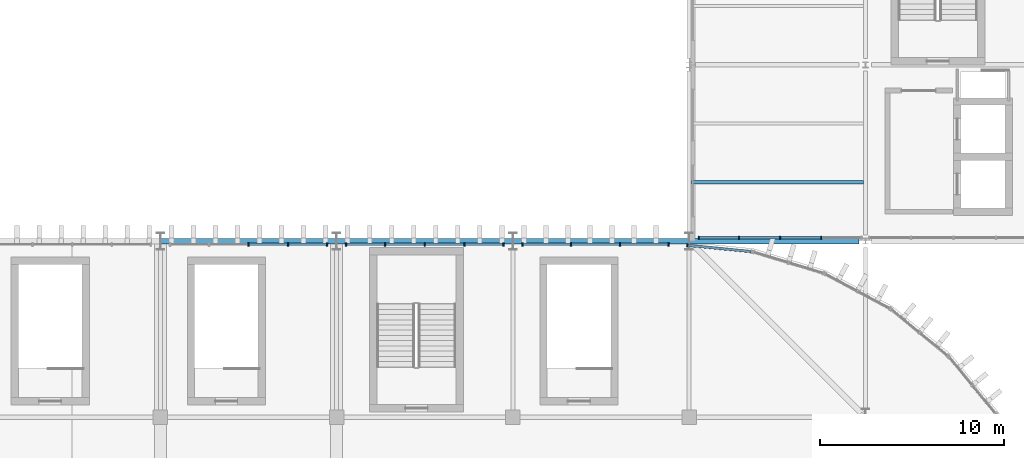
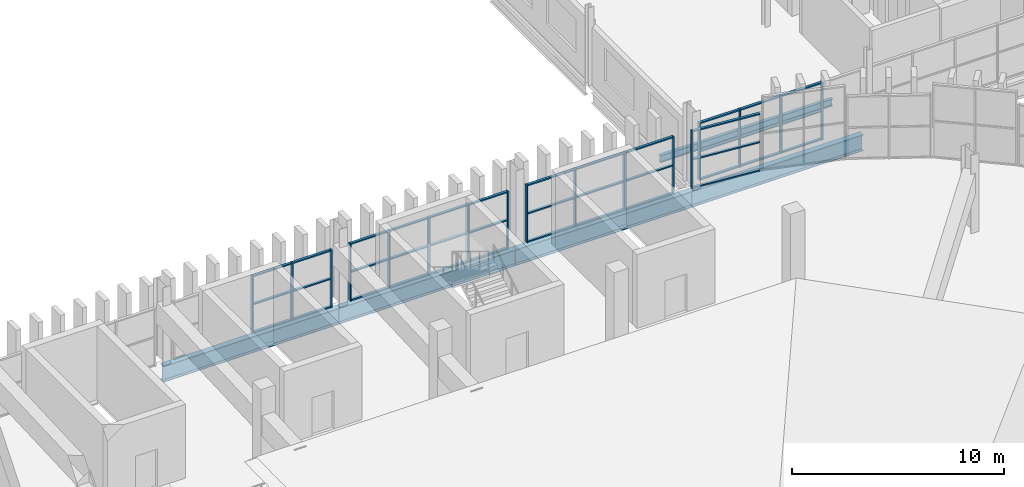
# One storey, part 32 of 69: 56 members, 5 beams, 5 elements without a shape of their own.
"""IFC4 building model written with IfcOpenShell, lengths in metres."""

from ifc_helpers import new_model, si_unit, direction, frame, origin, origin_2d, place, context, subcontext, project, spatial, rectangle, i_section, extrude, material, layer, layer_set, material_profile, profile_set, type_object, element, aggregate, save


model = new_model("IFC4")

# Units and contexts
model_context = context("Model", 3, precision=1e-05, world=origin(), true_north=direction((0.0, 1.0)))
body_context = subcontext(model_context, "Body", "Model", "MODEL_VIEW")
ifc_project = project(units=[si_unit("LENGTHUNIT", "METRE"), si_unit("AREAUNIT", "SQUARE_METRE"), si_unit("VOLUMEUNIT", "CUBIC_METRE"), si_unit("PLANEANGLEUNIT", "RADIAN"), si_unit("MASSUNIT", "GRAM", prefix="KILO")], contexts=[model_context])

# Site, building, storey
site_placement = place(None, origin())
site = spatial("IfcSite", under=ifc_project, at=site_placement, CompositionType="ELEMENT")
building_placement = place(site_placement, origin())
building = spatial("IfcBuilding", under=site, at=building_placement, Name="Caelomonte Colonnade Arena", CompositionType="ELEMENT")
storey_placement = place(building_placement, frame((0.0, 0.0, 18.60009765625)))
storey = spatial("IfcBuildingStorey", under=building, at=storey_placement, Name="L04", CompositionType="ELEMENT", Elevation=18.60009765625)

# Curtain wall, members
ifc_material_1 = material(Name="Bronze anodised aluminium and low-E glazing", Category="aluminium")
ifc_layer_1 = layer(ifc_material_1, 0.179931640625)
ifc_layer_set_1 = layer_set([ifc_layer_1], Name="Bronze anodised aluminium and low-E glazing")
curtain_wall_type_1 = type_object("IfcCurtainWallType", Name="ENV-CW-CW-L04-96-33", PredefinedType="USERDEFINED", material=ifc_layer_set_1)
curtain_wall_1_placement = place(storey_placement, origin())
curtain_wall_1 = element("IfcCurtainWall", 1, at=curtain_wall_1_placement, inside=storey, type_object=curtain_wall_type_1, Name="L04 unitized curtain wall CW-L04-1488-1154", ObjectType="UNITIZED CURTAIN WALL", PredefinedType="USERDEFINED")
ifc_material_2 = material(Name="Bronze anodised aluminium AA6063-T6", Category="aluminium")
ifc_material_profile_1 = material_profile(ifc_material_2, rectangle(XDim=0.070068359375, YDim=0.179931640625, at=origin_2d()), Name="CWM-70X180")
ifc_profile_set_1 = profile_set([ifc_material_profile_1], Name="Bronze anodised aluminium AA6063-T6")
member_type_1 = type_object("IfcMemberType", Name="ENV-CW-MULL1", PredefinedType="MULLION", material=ifc_profile_set_1)
member_1_placement = place(storey_placement, frame((144.5185546875, 115.3798828125, 0.0), z_axis=(0.0, 0.0, 1.0), x_axis=(1.0, 0.0, 0.0)))
member_1 = element("IfcMember", 2, at=member_1_placement, type_object=member_type_1, Name="CW-L04-96-33 mullion 1", PredefinedType="MULLION", context=body_context, shape_type="SweptSolid", body=[
    extrude(rectangle(XDim=0.070068359375, YDim=0.179931640625, at=origin_2d()), origin(), (0.0, 0.0, 1.0), 3.312744140625),
])
member_2_placement = place(storey_placement, frame((146.71923828125, 115.3798828125, 0.0), z_axis=(0.0, 0.0, 1.0), x_axis=(1.0, 0.0, 0.0)))
member_2 = element("IfcMember", 3, at=member_2_placement, type_object=member_type_1, Name="CW-L04-96-33 mullion 2", PredefinedType="MULLION", context=body_context, shape_type="SweptSolid", body=[
    extrude(rectangle(XDim=0.070068359375, YDim=0.179931640625, at=origin_2d()), origin(), (0.0, 0.0, 1.0), 3.312744140625),
])
member_3_placement = place(storey_placement, frame((148.954833984375, 115.3798828125, 0.0), z_axis=(0.0, 0.0, 1.0), x_axis=(1.0, 0.0, 0.0)))
member_3 = element("IfcMember", 4, at=member_3_placement, type_object=member_type_1, Name="CW-L04-96-33 mullion 3", PredefinedType="MULLION", context=body_context, shape_type="SweptSolid", body=[
    extrude(rectangle(XDim=0.070068359375, YDim=0.179931640625, at=origin_2d()), origin(), (0.0, 0.0, 1.0), 3.312744140625),
])
member_4_placement = place(storey_placement, frame((151.1904296875, 115.3798828125, 0.0), z_axis=(0.0, 0.0, 1.0), x_axis=(1.0, 0.0, 0.0)))
member_4 = element("IfcMember", 5, at=member_4_placement, type_object=member_type_1, Name="CW-L04-96-33 mullion 4", PredefinedType="MULLION", context=body_context, shape_type="SweptSolid", body=[
    extrude(rectangle(XDim=0.070068359375, YDim=0.179931640625, at=origin_2d()), origin(), (0.0, 0.0, 1.0), 3.312744140625),
])

# Curtain wall, member
ifc_layer_2 = layer(ifc_material_1, 0.179931640625)
ifc_layer_set_2 = layer_set([ifc_layer_2], Name="Bronze anodised aluminium and low-E glazing")
curtain_wall_type_2 = type_object("IfcCurtainWallType", Name="ENV-CW-CW-L04-42-33", PredefinedType="USERDEFINED", material=ifc_layer_set_2)
curtain_wall_2_placement = place(storey_placement, origin())
curtain_wall_2 = element("IfcCurtainWall", 6, at=curtain_wall_2_placement, inside=storey, type_object=curtain_wall_type_2, Name="L04 unitized curtain wall CW-L04-1455-1148", ObjectType="UNITIZED CURTAIN WALL", PredefinedType="USERDEFINED")
member_5_placement = place(storey_placement, frame((143.8984375, 114.969970703125, 0.0), z_axis=(0.0, 0.0, 1.0), x_axis=(-0.995184334909, 0.098021117887, 0.0)))
member_5 = element("IfcMember", 7, at=member_5_placement, type_object=member_type_1, Name="CW-L04-42-33 mullion 2", PredefinedType="MULLION", context=body_context, shape_type="SweptSolid", body=[
    extrude(rectangle(XDim=0.070068359375, YDim=0.179931640625, at=origin_2d()), origin(), (0.0, 0.0, 1.0), 3.312744140625),
])

# Curtain wall, members
ifc_layer_3 = layer(ifc_material_1, 0.179931640625)
ifc_layer_set_3 = layer_set([ifc_layer_3], Name="Bronze anodised aluminium and low-E glazing")
curtain_wall_type_3 = type_object("IfcCurtainWallType", Name="ENV-CW-CW-L04-90-33", PredefinedType="USERDEFINED", material=ifc_layer_set_3)
curtain_wall_3_placement = place(storey_placement, origin())
curtain_wall_3 = element("IfcCurtainWall", 8, at=curtain_wall_3_placement, inside=storey, type_object=curtain_wall_type_3, Name="L04 unitized curtain wall CW-L04-1389-1150", ObjectType="UNITIZED CURTAIN WALL", PredefinedType="USERDEFINED")
member_6_placement = place(storey_placement, frame((142.88134765625, 115.02001953125, 0.0), z_axis=(0.0, 0.0, 1.0), x_axis=(-1.0, 0.0, 0.0)))
member_6 = element("IfcMember", 9, at=member_6_placement, type_object=member_type_1, Name="CW-L04-90-33 mullion 1", PredefinedType="MULLION", context=body_context, shape_type="SweptSolid", body=[
    extrude(rectangle(XDim=0.070068359375, YDim=0.179931640625, at=origin_2d()), origin(), (0.0, 0.0, 1.0), 3.312744140625),
])
member_7_placement = place(storey_placement, frame((140.23876953125, 115.02001953125, 0.0), z_axis=(0.0, 0.0, 1.0), x_axis=(-1.0, 0.0, 0.0)))
member_7 = element("IfcMember", 10, at=member_7_placement, type_object=member_type_1, Name="CW-L04-90-33 mullion 2", PredefinedType="MULLION", context=body_context, shape_type="SweptSolid", body=[
    extrude(rectangle(XDim=0.070068359375, YDim=0.179931640625, at=origin_2d()), origin(), (0.0, 0.0, 1.0), 3.312744140625),
])
member_8_placement = place(storey_placement, frame((137.561279296875, 115.02001953125, 0.0), z_axis=(0.0, 0.0, 1.0), x_axis=(-1.0, 0.0, 0.0)))
member_8 = element("IfcMember", 11, at=member_8_placement, type_object=member_type_1, Name="CW-L04-90-33 mullion 3", PredefinedType="MULLION", context=body_context, shape_type="SweptSolid", body=[
    extrude(rectangle(XDim=0.070068359375, YDim=0.179931640625, at=origin_2d()), origin(), (0.0, 0.0, 1.0), 3.312744140625),
])
member_9_placement = place(storey_placement, frame((134.918701171875, 115.02001953125, 0.0), z_axis=(0.0, 0.0, 1.0), x_axis=(-1.0, 0.0, 0.0)))
member_9 = element("IfcMember", 12, at=member_9_placement, type_object=member_type_1, Name="CW-L04-90-33 mullion 4", PredefinedType="MULLION", context=body_context, shape_type="SweptSolid", body=[
    extrude(rectangle(XDim=0.070068359375, YDim=0.179931640625, at=origin_2d()), origin(), (0.0, 0.0, 1.0), 3.312744140625),
])

curtain_wall_4_placement = place(storey_placement, origin())
curtain_wall_4 = element("IfcCurtainWall", 13, at=curtain_wall_4_placement, inside=storey, type_object=curtain_wall_type_1, Name="L04 unitized curtain wall CW-L04-1296-1150", ObjectType="UNITIZED CURTAIN WALL", PredefinedType="USERDEFINED")
member_10_placement = place(storey_placement, frame((133.88134765625, 115.02001953125, 0.0), z_axis=(0.0, 0.0, 1.0), x_axis=(-1.0, 0.0, 0.0)))
member_10 = element("IfcMember", 14, at=member_10_placement, type_object=member_type_1, Name="CW-L04-96-33 mullion 1", PredefinedType="MULLION", context=body_context, shape_type="SweptSolid", body=[
    extrude(rectangle(XDim=0.070068359375, YDim=0.179931640625, at=origin_2d()), origin(), (0.0, 0.0, 1.0), 3.312744140625),
])
member_11_placement = place(storey_placement, frame((131.758056640625, 115.02001953125, 0.0), z_axis=(0.0, 0.0, 1.0), x_axis=(-1.0, 0.0, 0.0)))
member_11 = element("IfcMember", 15, at=member_11_placement, type_object=member_type_1, Name="CW-L04-96-33 mullion 2", PredefinedType="MULLION", context=body_context, shape_type="SweptSolid", body=[
    extrude(rectangle(XDim=0.070068359375, YDim=0.179931640625, at=origin_2d()), origin(), (0.0, 0.0, 1.0), 3.312744140625),
])
member_12_placement = place(storey_placement, frame((129.599853515625, 115.02001953125, 0.0), z_axis=(0.0, 0.0, 1.0), x_axis=(-1.0, 0.0, 0.0)))
member_12 = element("IfcMember", 16, at=member_12_placement, type_object=member_type_1, Name="CW-L04-96-33 mullion 3", PredefinedType="MULLION", context=body_context, shape_type="SweptSolid", body=[
    extrude(rectangle(XDim=0.070068359375, YDim=0.179931640625, at=origin_2d()), origin(), (0.0, 0.0, 1.0), 3.312744140625),
])
member_13_placement = place(storey_placement, frame((127.441650390625, 115.02001953125, 0.0), z_axis=(0.0, 0.0, 1.0), x_axis=(-1.0, 0.0, 0.0)))
member_13 = element("IfcMember", 17, at=member_13_placement, type_object=member_type_1, Name="CW-L04-96-33 mullion 4", PredefinedType="MULLION", context=body_context, shape_type="SweptSolid", body=[
    extrude(rectangle(XDim=0.070068359375, YDim=0.179931640625, at=origin_2d()), origin(), (0.0, 0.0, 1.0), 3.312744140625),
])
member_14_placement = place(storey_placement, frame((125.318603515625, 115.02001953125, 0.0), z_axis=(0.0, 0.0, 1.0), x_axis=(-1.0, 0.0, 0.0)))
member_14 = element("IfcMember", 18, at=member_14_placement, type_object=member_type_1, Name="CW-L04-96-33 mullion 5", PredefinedType="MULLION", context=body_context, shape_type="SweptSolid", body=[
    extrude(rectangle(XDim=0.070068359375, YDim=0.179931640625, at=origin_2d()), origin(), (0.0, 0.0, 1.0), 3.312744140625),
])

curtain_wall_5_placement = place(storey_placement, origin())
curtain_wall_5 = element("IfcCurtainWall", 19, at=curtain_wall_5_placement, inside=storey, type_object=curtain_wall_type_1, Name="L04 unitized curtain wall CW-L04-1200-1150", ObjectType="UNITIZED CURTAIN WALL", PredefinedType="USERDEFINED")
member_15_placement = place(storey_placement, frame((124.281494140625, 115.02001953125, 0.0), z_axis=(0.0, 0.0, 1.0), x_axis=(-1.0, 0.0, 0.0)))
member_15 = element("IfcMember", 20, at=member_15_placement, type_object=member_type_1, Name="CW-L04-96-33 mullion 1", PredefinedType="MULLION", context=body_context, shape_type="SweptSolid", body=[
    extrude(rectangle(XDim=0.070068359375, YDim=0.179931640625, at=origin_2d()), origin(), (0.0, 0.0, 1.0), 3.312744140625),
])
member_16_placement = place(storey_placement, frame((122.158203125, 115.02001953125, 0.0), z_axis=(0.0, 0.0, 1.0), x_axis=(-1.0, 0.0, 0.0)))
member_16 = element("IfcMember", 21, at=member_16_placement, type_object=member_type_1, Name="CW-L04-96-33 mullion 2", PredefinedType="MULLION", context=body_context, shape_type="SweptSolid", body=[
    extrude(rectangle(XDim=0.070068359375, YDim=0.179931640625, at=origin_2d()), origin(), (0.0, 0.0, 1.0), 3.312744140625),
])
member_17_placement = place(storey_placement, frame((120.0, 115.02001953125, 0.0), z_axis=(0.0, 0.0, 1.0), x_axis=(-1.0, 0.0, 0.0)))
member_17 = element("IfcMember", 22, at=member_17_placement, type_object=member_type_1, Name="CW-L04-96-33 mullion 3", PredefinedType="MULLION", context=body_context, shape_type="SweptSolid", body=[
    extrude(rectangle(XDim=0.070068359375, YDim=0.179931640625, at=origin_2d()), origin(), (0.0, 0.0, 1.0), 3.312744140625),
])

# Member
ifc_material_profile_2 = material_profile(ifc_material_2, rectangle(XDim=0.070068359375, YDim=0.139892578125, at=origin_2d()), Name="CWT-70X140")
ifc_profile_set_2 = profile_set([ifc_material_profile_2], Name="Bronze anodised aluminium AA6063-T6")
member_type_2 = type_object("IfcMemberType", Name="ENV-CW-TRAN1", PredefinedType="USERDEFINED", material=ifc_profile_set_2)
member_18_placement = place(storey_placement, frame((144.5537109375, 115.3798828125, 0.034912109375), z_axis=(1.0, 0.0, 0.0), x_axis=(0.0, 0.0, 1.0)))
member_18 = element("IfcMember", 23, at=member_18_placement, type_object=member_type_2, Name="CW-L04-96-33 transom 1.1", ObjectType="TRANSOM", PredefinedType="USERDEFINED", context=body_context, shape_type="SweptSolid", body=[
    extrude(rectangle(XDim=0.070068359375, YDim=0.139892578125, at=origin_2d()), origin(), (0.0, 0.0, 1.0), 2.130615234375),
])

member_19_placement = place(storey_placement, frame((144.5537109375, 115.3798828125, 1.65625), z_axis=(1.0, 0.0, 0.0), x_axis=(0.0, 0.0, 1.0)))
member_19 = element("IfcMember", 24, at=member_19_placement, type_object=member_type_2, Name="CW-L04-96-33 transom 1.2", ObjectType="TRANSOM", PredefinedType="USERDEFINED", context=body_context, shape_type="SweptSolid", body=[
    extrude(rectangle(XDim=0.070068359375, YDim=0.139892578125, at=origin_2d()), origin(), (0.0, 0.0, 1.0), 2.130615234375),
])

member_20_placement = place(storey_placement, frame((144.5537109375, 115.3798828125, 3.277587890625), z_axis=(1.0, 0.0, 0.0), x_axis=(0.0, 0.0, 1.0)))
member_20 = element("IfcMember", 25, at=member_20_placement, type_object=member_type_2, Name="CW-L04-96-33 transom 1.3", ObjectType="TRANSOM", PredefinedType="USERDEFINED", context=body_context, shape_type="SweptSolid", body=[
    extrude(rectangle(XDim=0.070068359375, YDim=0.139892578125, at=origin_2d()), origin(), (0.0, 0.0, 1.0), 2.130615234375),
])

member_21_placement = place(storey_placement, frame((146.754150390625, 115.3798828125, 0.034912109375), z_axis=(1.0, 0.0, 0.0), x_axis=(0.0, 0.0, 1.0)))
member_21 = element("IfcMember", 26, at=member_21_placement, type_object=member_type_2, Name="CW-L04-96-33 transom 2.1", ObjectType="TRANSOM", PredefinedType="USERDEFINED", context=body_context, shape_type="SweptSolid", body=[
    extrude(rectangle(XDim=0.070068359375, YDim=0.139892578125, at=origin_2d()), origin(), (0.0, 0.0, 1.0), 2.165771484375),
])

member_22_placement = place(storey_placement, frame((146.754150390625, 115.3798828125, 1.65625), z_axis=(1.0, 0.0, 0.0), x_axis=(0.0, 0.0, 1.0)))
member_22 = element("IfcMember", 27, at=member_22_placement, type_object=member_type_2, Name="CW-L04-96-33 transom 2.2", ObjectType="TRANSOM", PredefinedType="USERDEFINED", context=body_context, shape_type="SweptSolid", body=[
    extrude(rectangle(XDim=0.070068359375, YDim=0.139892578125, at=origin_2d()), origin(), (0.0, 0.0, 1.0), 2.165771484375),
])

member_23_placement = place(storey_placement, frame((146.754150390625, 115.3798828125, 3.277587890625), z_axis=(1.0, 0.0, 0.0), x_axis=(0.0, 0.0, 1.0)))
member_23 = element("IfcMember", 28, at=member_23_placement, type_object=member_type_2, Name="CW-L04-96-33 transom 2.3", ObjectType="TRANSOM", PredefinedType="USERDEFINED", context=body_context, shape_type="SweptSolid", body=[
    extrude(rectangle(XDim=0.070068359375, YDim=0.139892578125, at=origin_2d()), origin(), (0.0, 0.0, 1.0), 2.165771484375),
])

member_24_placement = place(storey_placement, frame((148.98974609375, 115.3798828125, 0.034912109375), z_axis=(1.0, 0.0, 0.0), x_axis=(0.0, 0.0, 1.0)))
member_24 = element("IfcMember", 29, at=member_24_placement, type_object=member_type_2, Name="CW-L04-96-33 transom 3.1", ObjectType="TRANSOM", PredefinedType="USERDEFINED", context=body_context, shape_type="SweptSolid", body=[
    extrude(rectangle(XDim=0.070068359375, YDim=0.139892578125, at=origin_2d()), origin(), (0.0, 0.0, 1.0), 2.165771484375),
])

member_25_placement = place(storey_placement, frame((148.98974609375, 115.3798828125, 1.65625), z_axis=(1.0, 0.0, 0.0), x_axis=(0.0, 0.0, 1.0)))
member_25 = element("IfcMember", 30, at=member_25_placement, type_object=member_type_2, Name="CW-L04-96-33 transom 3.2", ObjectType="TRANSOM", PredefinedType="USERDEFINED", context=body_context, shape_type="SweptSolid", body=[
    extrude(rectangle(XDim=0.070068359375, YDim=0.139892578125, at=origin_2d()), origin(), (0.0, 0.0, 1.0), 2.165771484375),
])

member_26_placement = place(storey_placement, frame((148.98974609375, 115.3798828125, 3.277587890625), z_axis=(1.0, 0.0, 0.0), x_axis=(0.0, 0.0, 1.0)))
member_26 = element("IfcMember", 31, at=member_26_placement, type_object=member_type_2, Name="CW-L04-96-33 transom 3.3", ObjectType="TRANSOM", PredefinedType="USERDEFINED", context=body_context, shape_type="SweptSolid", body=[
    extrude(rectangle(XDim=0.070068359375, YDim=0.139892578125, at=origin_2d()), origin(), (0.0, 0.0, 1.0), 2.165771484375),
])

aggregate(curtain_wall_1, [member_1, member_2, member_3, member_4, member_18, member_19, member_20, member_21, member_22, member_23, member_24, member_25, member_26])

member_27_placement = place(storey_placement, frame((147.36962890625, 114.628173828125, 0.034912109375), z_axis=(-0.99518656457, 0.097998478046, 0.0), x_axis=(0.0, 0.0, 1.0)))
member_27 = element("IfcMember", 32, at=member_27_placement, type_object=member_type_2, Name="CW-L04-42-33 transom 1.1", ObjectType="TRANSOM", PredefinedType="USERDEFINED", context=body_context, shape_type="SweptSolid", body=[
    extrude(rectangle(XDim=0.070068359375, YDim=0.139892578125, at=origin_2d()), origin(), (0.0, 0.0, 1.0), 3.452880859375),
])

member_28_placement = place(storey_placement, frame((147.36962890625, 114.628173828125, 1.65625), z_axis=(-0.99518656457, 0.097998478046, 0.0), x_axis=(0.0, 0.0, 1.0)))
member_28 = element("IfcMember", 33, at=member_28_placement, type_object=member_type_2, Name="CW-L04-42-33 transom 1.2", ObjectType="TRANSOM", PredefinedType="USERDEFINED", context=body_context, shape_type="SweptSolid", body=[
    extrude(rectangle(XDim=0.070068359375, YDim=0.139892578125, at=origin_2d()), origin(), (0.0, 0.0, 1.0), 3.452880859375),
])

member_29_placement = place(storey_placement, frame((147.36962890625, 114.628173828125, 3.277587890625), z_axis=(-0.99518656457, 0.097998478046, 0.0), x_axis=(0.0, 0.0, 1.0)))
member_29 = element("IfcMember", 34, at=member_29_placement, type_object=member_type_2, Name="CW-L04-42-33 transom 1.3", ObjectType="TRANSOM", PredefinedType="USERDEFINED", context=body_context, shape_type="SweptSolid", body=[
    extrude(rectangle(XDim=0.070068359375, YDim=0.139892578125, at=origin_2d()), origin(), (0.0, 0.0, 1.0), 3.452880859375),
])

aggregate(curtain_wall_2, [member_5, member_27, member_28, member_29])

member_30_placement = place(storey_placement, frame((142.846435546875, 115.02001953125, 0.034912109375), z_axis=(-1.0, 0.0, 0.0), x_axis=(0.0, 0.0, 1.0)))
member_30 = element("IfcMember", 35, at=member_30_placement, type_object=member_type_2, Name="CW-L04-90-33 transom 1.1", ObjectType="TRANSOM", PredefinedType="USERDEFINED", context=body_context, shape_type="SweptSolid", body=[
    extrude(rectangle(XDim=0.070068359375, YDim=0.139892578125, at=origin_2d()), origin(), (0.0, 0.0, 1.0), 2.57275390625),
])

member_31_placement = place(storey_placement, frame((142.846435546875, 115.02001953125, 1.65625), z_axis=(-1.0, 0.0, 0.0), x_axis=(0.0, 0.0, 1.0)))
member_31 = element("IfcMember", 36, at=member_31_placement, type_object=member_type_2, Name="CW-L04-90-33 transom 1.2", ObjectType="TRANSOM", PredefinedType="USERDEFINED", context=body_context, shape_type="SweptSolid", body=[
    extrude(rectangle(XDim=0.070068359375, YDim=0.139892578125, at=origin_2d()), origin(), (0.0, 0.0, 1.0), 2.57275390625),
])

member_32_placement = place(storey_placement, frame((142.846435546875, 115.02001953125, 3.277587890625), z_axis=(-1.0, 0.0, 0.0), x_axis=(0.0, 0.0, 1.0)))
member_32 = element("IfcMember", 37, at=member_32_placement, type_object=member_type_2, Name="CW-L04-90-33 transom 1.3", ObjectType="TRANSOM", PredefinedType="USERDEFINED", context=body_context, shape_type="SweptSolid", body=[
    extrude(rectangle(XDim=0.070068359375, YDim=0.139892578125, at=origin_2d()), origin(), (0.0, 0.0, 1.0), 2.57275390625),
])

member_33_placement = place(storey_placement, frame((140.203857421875, 115.02001953125, 0.034912109375), z_axis=(-1.0, 0.0, 0.0), x_axis=(0.0, 0.0, 1.0)))
member_33 = element("IfcMember", 38, at=member_33_placement, type_object=member_type_2, Name="CW-L04-90-33 transom 2.1", ObjectType="TRANSOM", PredefinedType="USERDEFINED", context=body_context, shape_type="SweptSolid", body=[
    extrude(rectangle(XDim=0.070068359375, YDim=0.139892578125, at=origin_2d()), origin(), (0.0, 0.0, 1.0), 2.607666015625),
])

member_34_placement = place(storey_placement, frame((140.203857421875, 115.02001953125, 1.65625), z_axis=(-1.0, 0.0, 0.0), x_axis=(0.0, 0.0, 1.0)))
member_34 = element("IfcMember", 39, at=member_34_placement, type_object=member_type_2, Name="CW-L04-90-33 transom 2.2", ObjectType="TRANSOM", PredefinedType="USERDEFINED", context=body_context, shape_type="SweptSolid", body=[
    extrude(rectangle(XDim=0.070068359375, YDim=0.139892578125, at=origin_2d()), origin(), (0.0, 0.0, 1.0), 2.607666015625),
])

member_35_placement = place(storey_placement, frame((140.203857421875, 115.02001953125, 3.277587890625), z_axis=(-1.0, 0.0, 0.0), x_axis=(0.0, 0.0, 1.0)))
member_35 = element("IfcMember", 40, at=member_35_placement, type_object=member_type_2, Name="CW-L04-90-33 transom 2.3", ObjectType="TRANSOM", PredefinedType="USERDEFINED", context=body_context, shape_type="SweptSolid", body=[
    extrude(rectangle(XDim=0.070068359375, YDim=0.139892578125, at=origin_2d()), origin(), (0.0, 0.0, 1.0), 2.607666015625),
])

member_36_placement = place(storey_placement, frame((137.526123046875, 115.02001953125, 0.034912109375), z_axis=(-1.0, 0.0, 0.0), x_axis=(0.0, 0.0, 1.0)))
member_36 = element("IfcMember", 41, at=member_36_placement, type_object=member_type_2, Name="CW-L04-90-33 transom 3.1", ObjectType="TRANSOM", PredefinedType="USERDEFINED", context=body_context, shape_type="SweptSolid", body=[
    extrude(rectangle(XDim=0.070068359375, YDim=0.139892578125, at=origin_2d()), origin(), (0.0, 0.0, 1.0), 2.572509765625),
])

member_37_placement = place(storey_placement, frame((137.526123046875, 115.02001953125, 1.65625), z_axis=(-1.0, 0.0, 0.0), x_axis=(0.0, 0.0, 1.0)))
member_37 = element("IfcMember", 42, at=member_37_placement, type_object=member_type_2, Name="CW-L04-90-33 transom 3.2", ObjectType="TRANSOM", PredefinedType="USERDEFINED", context=body_context, shape_type="SweptSolid", body=[
    extrude(rectangle(XDim=0.070068359375, YDim=0.139892578125, at=origin_2d()), origin(), (0.0, 0.0, 1.0), 2.572509765625),
])

member_38_placement = place(storey_placement, frame((137.526123046875, 115.02001953125, 3.277587890625), z_axis=(-1.0, 0.0, 0.0), x_axis=(0.0, 0.0, 1.0)))
member_38 = element("IfcMember", 43, at=member_38_placement, type_object=member_type_2, Name="CW-L04-90-33 transom 3.3", ObjectType="TRANSOM", PredefinedType="USERDEFINED", context=body_context, shape_type="SweptSolid", body=[
    extrude(rectangle(XDim=0.070068359375, YDim=0.139892578125, at=origin_2d()), origin(), (0.0, 0.0, 1.0), 2.572509765625),
])

aggregate(curtain_wall_3, [member_6, member_7, member_8, member_9, member_30, member_31, member_32, member_33, member_34, member_35, member_36, member_37, member_38])

member_39_placement = place(storey_placement, frame((133.846435546875, 115.02001953125, 0.034912109375), z_axis=(-1.0, 0.0, 0.0), x_axis=(0.0, 0.0, 1.0)))
member_39 = element("IfcMember", 44, at=member_39_placement, type_object=member_type_2, Name="CW-L04-96-33 transom 1.1", ObjectType="TRANSOM", PredefinedType="USERDEFINED", context=body_context, shape_type="SweptSolid", body=[
    extrude(rectangle(XDim=0.070068359375, YDim=0.139892578125, at=origin_2d()), origin(), (0.0, 0.0, 1.0), 2.05322265625),
])

member_40_placement = place(storey_placement, frame((133.846435546875, 115.02001953125, 1.65625), z_axis=(-1.0, 0.0, 0.0), x_axis=(0.0, 0.0, 1.0)))
member_40 = element("IfcMember", 45, at=member_40_placement, type_object=member_type_2, Name="CW-L04-96-33 transom 1.2", ObjectType="TRANSOM", PredefinedType="USERDEFINED", context=body_context, shape_type="SweptSolid", body=[
    extrude(rectangle(XDim=0.070068359375, YDim=0.139892578125, at=origin_2d()), origin(), (0.0, 0.0, 1.0), 2.05322265625),
])

member_41_placement = place(storey_placement, frame((133.846435546875, 115.02001953125, 3.277587890625), z_axis=(-1.0, 0.0, 0.0), x_axis=(0.0, 0.0, 1.0)))
member_41 = element("IfcMember", 46, at=member_41_placement, type_object=member_type_2, Name="CW-L04-96-33 transom 1.3", ObjectType="TRANSOM", PredefinedType="USERDEFINED", context=body_context, shape_type="SweptSolid", body=[
    extrude(rectangle(XDim=0.070068359375, YDim=0.139892578125, at=origin_2d()), origin(), (0.0, 0.0, 1.0), 2.05322265625),
])

member_42_placement = place(storey_placement, frame((131.72314453125, 115.02001953125, 0.034912109375), z_axis=(-1.0, 0.0, 0.0), x_axis=(0.0, 0.0, 1.0)))
member_42 = element("IfcMember", 47, at=member_42_placement, type_object=member_type_2, Name="CW-L04-96-33 transom 2.1", ObjectType="TRANSOM", PredefinedType="USERDEFINED", context=body_context, shape_type="SweptSolid", body=[
    extrude(rectangle(XDim=0.070068359375, YDim=0.139892578125, at=origin_2d()), origin(), (0.0, 0.0, 1.0), 2.088134765625),
])

member_43_placement = place(storey_placement, frame((131.72314453125, 115.02001953125, 1.65625), z_axis=(-1.0, 0.0, 0.0), x_axis=(0.0, 0.0, 1.0)))
member_43 = element("IfcMember", 48, at=member_43_placement, type_object=member_type_2, Name="CW-L04-96-33 transom 2.2", ObjectType="TRANSOM", PredefinedType="USERDEFINED", context=body_context, shape_type="SweptSolid", body=[
    extrude(rectangle(XDim=0.070068359375, YDim=0.139892578125, at=origin_2d()), origin(), (0.0, 0.0, 1.0), 2.088134765625),
])

member_44_placement = place(storey_placement, frame((131.72314453125, 115.02001953125, 3.277587890625), z_axis=(-1.0, 0.0, 0.0), x_axis=(0.0, 0.0, 1.0)))
member_44 = element("IfcMember", 49, at=member_44_placement, type_object=member_type_2, Name="CW-L04-96-33 transom 2.3", ObjectType="TRANSOM", PredefinedType="USERDEFINED", context=body_context, shape_type="SweptSolid", body=[
    extrude(rectangle(XDim=0.070068359375, YDim=0.139892578125, at=origin_2d()), origin(), (0.0, 0.0, 1.0), 2.088134765625),
])

member_45_placement = place(storey_placement, frame((129.56494140625, 115.02001953125, 0.034912109375), z_axis=(-1.0, 0.0, 0.0), x_axis=(0.0, 0.0, 1.0)))
member_45 = element("IfcMember", 50, at=member_45_placement, type_object=member_type_2, Name="CW-L04-96-33 transom 3.1", ObjectType="TRANSOM", PredefinedType="USERDEFINED", context=body_context, shape_type="SweptSolid", body=[
    extrude(rectangle(XDim=0.070068359375, YDim=0.139892578125, at=origin_2d()), origin(), (0.0, 0.0, 1.0), 2.088134765625),
])

member_46_placement = place(storey_placement, frame((129.56494140625, 115.02001953125, 1.65625), z_axis=(-1.0, 0.0, 0.0), x_axis=(0.0, 0.0, 1.0)))
member_46 = element("IfcMember", 51, at=member_46_placement, type_object=member_type_2, Name="CW-L04-96-33 transom 3.2", ObjectType="TRANSOM", PredefinedType="USERDEFINED", context=body_context, shape_type="SweptSolid", body=[
    extrude(rectangle(XDim=0.070068359375, YDim=0.139892578125, at=origin_2d()), origin(), (0.0, 0.0, 1.0), 2.088134765625),
])

member_47_placement = place(storey_placement, frame((129.56494140625, 115.02001953125, 3.277587890625), z_axis=(-1.0, 0.0, 0.0), x_axis=(0.0, 0.0, 1.0)))
member_47 = element("IfcMember", 52, at=member_47_placement, type_object=member_type_2, Name="CW-L04-96-33 transom 3.3", ObjectType="TRANSOM", PredefinedType="USERDEFINED", context=body_context, shape_type="SweptSolid", body=[
    extrude(rectangle(XDim=0.070068359375, YDim=0.139892578125, at=origin_2d()), origin(), (0.0, 0.0, 1.0), 2.088134765625),
])

member_48_placement = place(storey_placement, frame((127.40673828125, 115.02001953125, 0.034912109375), z_axis=(-1.0, 0.0, 0.0), x_axis=(0.0, 0.0, 1.0)))
member_48 = element("IfcMember", 53, at=member_48_placement, type_object=member_type_2, Name="CW-L04-96-33 transom 4.1", ObjectType="TRANSOM", PredefinedType="USERDEFINED", context=body_context, shape_type="SweptSolid", body=[
    extrude(rectangle(XDim=0.070068359375, YDim=0.139892578125, at=origin_2d()), origin(), (0.0, 0.0, 1.0), 2.05322265625),
])

member_49_placement = place(storey_placement, frame((127.40673828125, 115.02001953125, 1.65625), z_axis=(-1.0, 0.0, 0.0), x_axis=(0.0, 0.0, 1.0)))
member_49 = element("IfcMember", 54, at=member_49_placement, type_object=member_type_2, Name="CW-L04-96-33 transom 4.2", ObjectType="TRANSOM", PredefinedType="USERDEFINED", context=body_context, shape_type="SweptSolid", body=[
    extrude(rectangle(XDim=0.070068359375, YDim=0.139892578125, at=origin_2d()), origin(), (0.0, 0.0, 1.0), 2.05322265625),
])

member_50_placement = place(storey_placement, frame((127.40673828125, 115.02001953125, 3.277587890625), z_axis=(-1.0, 0.0, 0.0), x_axis=(0.0, 0.0, 1.0)))
member_50 = element("IfcMember", 55, at=member_50_placement, type_object=member_type_2, Name="CW-L04-96-33 transom 4.3", ObjectType="TRANSOM", PredefinedType="USERDEFINED", context=body_context, shape_type="SweptSolid", body=[
    extrude(rectangle(XDim=0.070068359375, YDim=0.139892578125, at=origin_2d()), origin(), (0.0, 0.0, 1.0), 2.05322265625),
])

aggregate(curtain_wall_4, [member_10, member_11, member_12, member_13, member_14, member_39, member_40, member_41, member_42, member_43, member_44, member_45, member_46, member_47, member_48, member_49, member_50])

member_51_placement = place(storey_placement, frame((124.24658203125, 115.02001953125, 0.034912109375), z_axis=(-1.0, 0.0, 0.0), x_axis=(0.0, 0.0, 1.0)))
member_51 = element("IfcMember", 56, at=member_51_placement, type_object=member_type_2, Name="CW-L04-96-33 transom 1.1", ObjectType="TRANSOM", PredefinedType="USERDEFINED", context=body_context, shape_type="SweptSolid", body=[
    extrude(rectangle(XDim=0.070068359375, YDim=0.139892578125, at=origin_2d()), origin(), (0.0, 0.0, 1.0), 2.05322265625),
])

member_52_placement = place(storey_placement, frame((124.24658203125, 115.02001953125, 1.65625), z_axis=(-1.0, 0.0, 0.0), x_axis=(0.0, 0.0, 1.0)))
member_52 = element("IfcMember", 57, at=member_52_placement, type_object=member_type_2, Name="CW-L04-96-33 transom 1.2", ObjectType="TRANSOM", PredefinedType="USERDEFINED", context=body_context, shape_type="SweptSolid", body=[
    extrude(rectangle(XDim=0.070068359375, YDim=0.139892578125, at=origin_2d()), origin(), (0.0, 0.0, 1.0), 2.05322265625),
])

member_53_placement = place(storey_placement, frame((124.24658203125, 115.02001953125, 3.277587890625), z_axis=(-1.0, 0.0, 0.0), x_axis=(0.0, 0.0, 1.0)))
member_53 = element("IfcMember", 58, at=member_53_placement, type_object=member_type_2, Name="CW-L04-96-33 transom 1.3", ObjectType="TRANSOM", PredefinedType="USERDEFINED", context=body_context, shape_type="SweptSolid", body=[
    extrude(rectangle(XDim=0.070068359375, YDim=0.139892578125, at=origin_2d()), origin(), (0.0, 0.0, 1.0), 2.05322265625),
])

member_54_placement = place(storey_placement, frame((122.123291015625, 115.02001953125, 0.034912109375), z_axis=(-1.0, 0.0, 0.0), x_axis=(0.0, 0.0, 1.0)))
member_54 = element("IfcMember", 59, at=member_54_placement, type_object=member_type_2, Name="CW-L04-96-33 transom 2.1", ObjectType="TRANSOM", PredefinedType="USERDEFINED", context=body_context, shape_type="SweptSolid", body=[
    extrude(rectangle(XDim=0.070068359375, YDim=0.139892578125, at=origin_2d()), origin(), (0.0, 0.0, 1.0), 2.08837890625),
])

member_55_placement = place(storey_placement, frame((122.123291015625, 115.02001953125, 1.65625), z_axis=(-1.0, 0.0, 0.0), x_axis=(0.0, 0.0, 1.0)))
member_55 = element("IfcMember", 60, at=member_55_placement, type_object=member_type_2, Name="CW-L04-96-33 transom 2.2", ObjectType="TRANSOM", PredefinedType="USERDEFINED", context=body_context, shape_type="SweptSolid", body=[
    extrude(rectangle(XDim=0.070068359375, YDim=0.139892578125, at=origin_2d()), origin(), (0.0, 0.0, 1.0), 2.08837890625),
])

member_56_placement = place(storey_placement, frame((122.123291015625, 115.02001953125, 3.277587890625), z_axis=(-1.0, 0.0, 0.0), x_axis=(0.0, 0.0, 1.0)))
member_56 = element("IfcMember", 61, at=member_56_placement, type_object=member_type_2, Name="CW-L04-96-33 transom 2.3", ObjectType="TRANSOM", PredefinedType="USERDEFINED", context=body_context, shape_type="SweptSolid", body=[
    extrude(rectangle(XDim=0.070068359375, YDim=0.139892578125, at=origin_2d()), origin(), (0.0, 0.0, 1.0), 2.08837890625),
])

aggregate(curtain_wall_5, [member_15, member_16, member_17, member_51, member_52, member_53, member_54, member_55, member_56])

# Beams
ifc_material_3 = material(Name="Wide-flange steel ASTM A992 Grade 50", Category="steel")
ifc_material_profile_3 = material_profile(ifc_material_3, i_section(OverallWidth=0.307861328125, OverallDepth=0.927001953125, WebThickness=0.019287109375, FlangeThickness=0.031982421875, FilletRadius=0.020263671875, at=origin_2d()), Name="W36X194")
ifc_profile_set_3 = profile_set([ifc_material_profile_3], Name="Wide-flange steel ASTM A992 Grade 50")
beam_type_1 = type_object("IfcBeamType", Name="STR-BM-EAVES2", PredefinedType="SPANDREL", material=ifc_profile_set_3)
beam_1_placement = place(storey_placement, frame((115.2119140625, 115.199951171875, -0.7236328125), z_axis=(1.0, 0.0, 0.0), x_axis=(0.0, 1.0, 0.0)))
element("IfcBeam", 62, at=beam_1_placement, inside=storey, type_object=beam_type_1, Name="L04 girder BMX-L04-1152-1152", PredefinedType="SPANDREL", context=body_context, shape_type="SweptSolid", body=[
    extrude(i_section(OverallWidth=0.307861328125, OverallDepth=0.927001953125, WebThickness=0.019287109375, FlangeThickness=0.031982421875, FilletRadius=0.020263671875, at=origin_2d()), origin(), (0.0, 0.0, 1.0), 9.576171875),
])
for number, where, z_axis, x_axis, name in (
    (63, (124.81201171875, 115.199951171875, -0.7236328125), (1.0, 0.0, 0.0), (0.0, 1.0, 0.0), "L04 girder BMX-L04-1248-1152"),
    (64, (134.412109375, 115.199951171875, -0.7236328125), (1.0, 0.0, 0.0), (0.0, 1.0, 0.0), "L04 girder BMX-L04-1344-1152"),
):
    element("IfcBeam", number, at=place(storey_placement, frame(where, z_axis=z_axis, x_axis=x_axis)), inside=storey, type_object=beam_type_1, Name=name, PredefinedType="SPANDREL", context=body_context, shape_type="SweptSolid", body=[
        extrude(i_section(OverallWidth=0.307861328125, OverallDepth=0.927001953125, WebThickness=0.019287109375, FlangeThickness=0.031982421875, FilletRadius=0.020263671875, at=origin_2d()), origin(), (0.0, 0.0, 1.0), 9.575927734375),
    ])
beam_2_placement = place(storey_placement, frame((144.011962890625, 115.199951171875, -0.7236328125), z_axis=(1.0, 0.0, 0.0), x_axis=(0.0, 1.0, 0.0)))
element("IfcBeam", 65, at=beam_2_placement, inside=storey, type_object=beam_type_1, Name="L04 girder BMX-L04-1440-1152", PredefinedType="SPANDREL", context=body_context, shape_type="SweptSolid", body=[
    extrude(i_section(OverallWidth=0.307861328125, OverallDepth=0.927001953125, WebThickness=0.019287109375, FlangeThickness=0.031982421875, FilletRadius=0.020263671875, at=origin_2d()), origin(), (0.0, 0.0, 1.0), 9.24609375),
])
ifc_material_profile_4 = material_profile(ifc_material_3, i_section(OverallWidth=0.177734375, OverallDepth=0.406494140625, WebThickness=0.0078125, FlangeThickness=0.0126953125, FilletRadius=0.01025390625, at=origin_2d()), Name="W16X40")
ifc_profile_set_4 = profile_set([ifc_material_profile_4], Name="Wide-flange steel ASTM A992 Grade 50")
beam_type_2 = type_object("IfcBeamType", Name="STR-BM-JOIST16", PredefinedType="JOIST", material=ifc_profile_set_4)
beam_3_placement = place(storey_placement, frame((144.10888671875, 118.39990234375, -0.46337890625), z_axis=(1.0, 0.0, 0.0), x_axis=(0.0, 1.0, 0.0)))
element("IfcBeam", 66, at=beam_3_placement, inside=storey, type_object=beam_type_2, Name="L04 secondary joist 1", PredefinedType="JOIST", context=body_context, shape_type="SweptSolid", body=[
    extrude(i_section(OverallWidth=0.177734375, OverallDepth=0.406494140625, WebThickness=0.0078125, FlangeThickness=0.0126953125, FilletRadius=0.01025390625, at=origin_2d()), origin(), (0.0, 0.0, 1.0), 9.38232421875),
])

save(model, "model.ifc")
